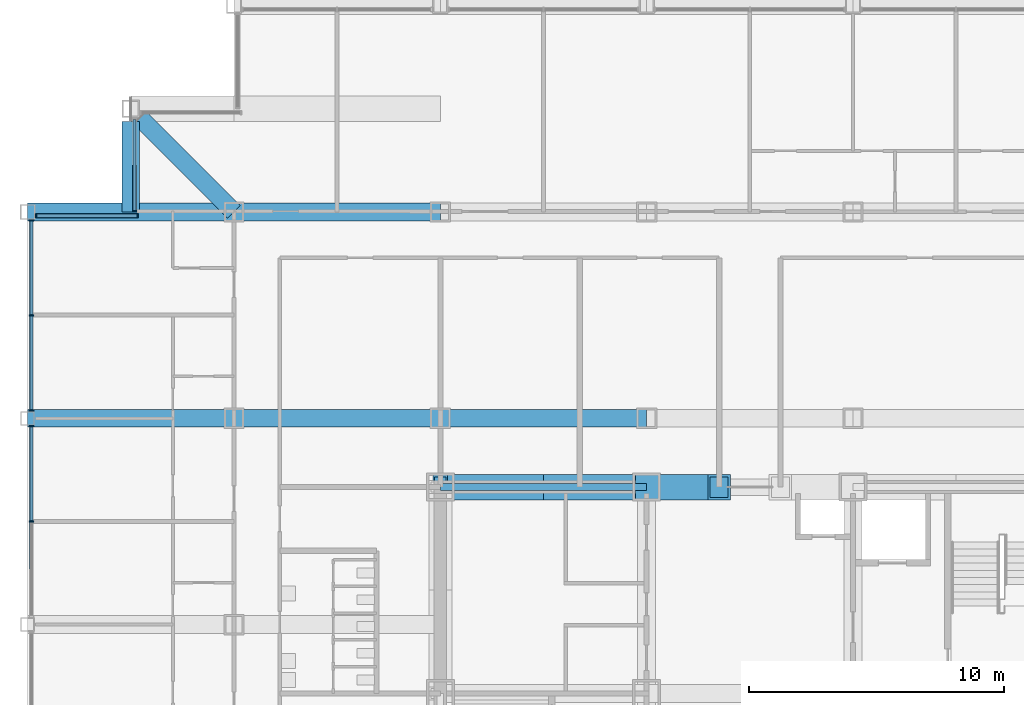
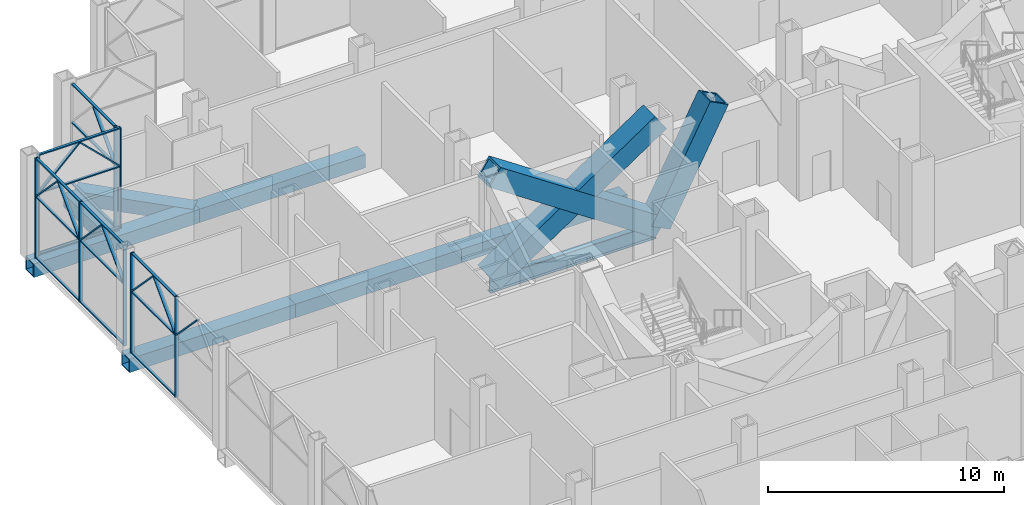
# One storey, part 8 of 29: 36 members, 8 beams, 4 elements without a shape of their own.
"""IFC4 building model written with IfcOpenShell, lengths in metres."""

from ifc_helpers import new_model, si_unit, direction, frame, origin, origin_2d, place, context, subcontext, project, spatial, rectangle, hollow_rectangle, i_section, extrude, material, material_profile, profile_set, type_object, element, aggregate, save


model = new_model("IFC4")

# Units and contexts
model_context = context("Model", 3, precision=1e-05, world=origin(), true_north=direction((0.0, 1.0)))
body_context = subcontext(model_context, "Body", "Model", "MODEL_VIEW")
ifc_project = project(units=[si_unit("LENGTHUNIT", "METRE"), si_unit("AREAUNIT", "SQUARE_METRE"), si_unit("VOLUMEUNIT", "CUBIC_METRE"), si_unit("PLANEANGLEUNIT", "RADIAN"), si_unit("MASSUNIT", "GRAM", prefix="KILO")], contexts=[model_context])

# Site, building, storey
site_placement = place(None, origin())
site = spatial("IfcSite", under=ifc_project, at=site_placement, CompositionType="ELEMENT")
building_placement = place(site_placement, origin())
building = spatial("IfcBuilding", under=site, at=building_placement, Name="Kopane Lantern Tower", CompositionType="ELEMENT")
storey_placement = place(building_placement, frame((0.0, 0.0, 165.0)))
storey = spatial("IfcBuildingStorey", under=building, at=storey_placement, Name="L42", CompositionType="ELEMENT", Elevation=165.0)

# Members
ifc_material_1 = material(Name="Steel S355JR", Category="steel")
ifc_material_profile_1 = material_profile(ifc_material_1, hollow_rectangle(XDim=1.0, YDim=1.0, WallThickness=0.10009765625, at=origin_2d()), Name="BOX 1000x1000x100")
ifc_profile_set_1 = profile_set([ifc_material_profile_1], Name="Steel S355JR")
member_type_1 = type_object("IfcMemberType", Name="BRACE BOX 1000x1000x100", PredefinedType="BRACE", material=ifc_profile_set_1)
for number, where, z_axis, x_axis, name in (
    (1, (16.199951171875, 40.5, -0.25), (0.830159256911, 0.0, 0.557526329571), (0.0, 1.0, 0.0), "Core brace L42"),
    (2, (24.300048828125, 40.5, -0.25), (-0.830159256911, 0.0, 0.557526329571), (0.0, -1.0, 0.0), "Core brace L42"),
):
    element("IfcMember", number, at=place(storey_placement, frame(where, z_axis=z_axis, x_axis=x_axis)), inside=storey, type_object=member_type_1, Name=name, PredefinedType="BRACE", context=body_context, shape_type="SweptSolid", body=[
        extrude(hollow_rectangle(XDim=1.0, YDim=1.0, WallThickness=0.10009765625, at=origin_2d()), origin(), (0.0, 0.0, 1.0), 9.75732421875),
    ])
member_1_placement = place(storey_placement, frame((24.300048828125, 40.5, -0.25), z_axis=(0.464053044063, 0.0, 0.885807412645), x_axis=(0.0, 1.0, 0.0)))
element("IfcMember", 3, at=member_1_placement, inside=storey, type_object=member_type_1, Name="Core brace L42", PredefinedType="BRACE", context=body_context, shape_type="SweptSolid", body=[
    extrude(hollow_rectangle(XDim=1.0, YDim=1.0, WallThickness=0.10009765625, at=origin_2d()), origin(), (0.0, 0.0, 1.0), 6.14111328125),
])

# Beams
ifc_material_2 = material(Name="Steel S355JR", Category="steel")
ifc_material_profile_2 = material_profile(ifc_material_2, hollow_rectangle(XDim=0.699951171875, YDim=0.699951171875, WallThickness=0.06005859375, at=origin_2d()), Name="BOX 700x700x60")
ifc_profile_set_2 = profile_set([ifc_material_profile_2], Name="Steel S355JR")
beam_type_1 = type_object("IfcBeamType", Name="CORNER TIE BEAM BOX 700x700x60", PredefinedType="BEAM", material=ifc_profile_set_2)
beam_1_placement = place(storey_placement, frame((4.403564453125, 54.996337890625, -0.60009765625), z_axis=(0.707130132301, -0.707083429301, 0.0), x_axis=(0.707083429301, 0.707130132301, 0.0)))
element("IfcBeam", 4, at=beam_1_placement, inside=storey, type_object=beam_type_1, Name="Corner Tie Beam L42", PredefinedType="BEAM", context=body_context, shape_type="SweptSolid", body=[
    extrude(hollow_rectangle(XDim=0.699951171875, YDim=0.699951171875, WallThickness=0.06005859375, at=origin_2d()), origin(), (0.0, 0.0, 1.0), 5.2275390625),
])
ifc_material_3 = material(Name="Steel S355JR", Category="steel")
ifc_material_profile_3 = material_profile(ifc_material_3, hollow_rectangle(XDim=0.699951171875, YDim=0.699951171875, WallThickness=0.06005859375, at=origin_2d()), Name="BOX 700x700x60")
ifc_profile_set_3 = profile_set([ifc_material_profile_3], Name="Steel S355JR")
beam_type_2 = type_object("IfcBeamType", Name="EDGE BEAM BOX 700x700x60", PredefinedType="BEAM", material=ifc_profile_set_3)
beam_2_placement = place(storey_placement, frame((4.050048828125, 54.85009765625, -0.60009765625), z_axis=(0.0, -1.0, 0.0), x_axis=(1.0, 0.0, 0.0)))
element("IfcBeam", 5, at=beam_2_placement, inside=storey, type_object=beam_type_2, Name="Edge Beam L42", PredefinedType="BEAM", context=body_context, shape_type="SweptSolid", body=[
    extrude(hollow_rectangle(XDim=0.699951171875, YDim=0.699951171875, WallThickness=0.06005859375, at=origin_2d()), origin(), (0.0, 0.0, 1.0), 3.550048828125),
])
ifc_material_4 = material(Name="Steel S355JR", Category="steel")
ifc_material_profile_4 = material_profile(ifc_material_4, hollow_rectangle(XDim=0.699951171875, YDim=0.699951171875, WallThickness=0.06005859375, at=origin_2d()), Name="BOX 700x700x60")
ifc_profile_set_4 = profile_set([ifc_material_profile_4], Name="Steel S355JR")
beam_type_3 = type_object("IfcBeamType", Name="GIRDER BOX 700x700x60", PredefinedType="BEAM", material=ifc_profile_set_4)
for number, where, z_axis, x_axis, name in (
    (6, (0.0, 43.199951171875, -0.60009765625), (1.0, 0.0, 0.0), (0.0, 1.0, 0.0), "Girder L42"),
    (7, (0.0, 51.300048828125, -0.60009765625), (1.0, 0.0, 0.0), (0.0, 1.0, 0.0), "Girder L42"),
):
    element("IfcBeam", number, at=place(storey_placement, frame(where, z_axis=z_axis, x_axis=x_axis)), inside=storey, type_object=beam_type_3, Name=name, PredefinedType="BEAM", context=body_context, shape_type="SweptSolid", body=[
        extrude(hollow_rectangle(XDim=0.699951171875, YDim=0.699951171875, WallThickness=0.06005859375, at=origin_2d()), origin(), (0.0, 0.0, 1.0), 8.10009765625),
    ])
for number, where, z_axis, x_axis, name in (
    (8, (8.10009765625, 43.199951171875, -0.60009765625), (1.0, 0.0, 0.0), (0.0, 1.0, 0.0), "Girder L42"),
    (9, (8.10009765625, 51.300048828125, -0.60009765625), (1.0, 0.0, 0.0), (0.0, 1.0, 0.0), "Girder L42"),
):
    element("IfcBeam", number, at=place(storey_placement, frame(where, z_axis=z_axis, x_axis=x_axis)), inside=storey, type_object=beam_type_3, Name=name, PredefinedType="BEAM", context=body_context, shape_type="SweptSolid", body=[
        extrude(hollow_rectangle(XDim=0.699951171875, YDim=0.699951171875, WallThickness=0.06005859375, at=origin_2d()), origin(), (0.0, 0.0, 1.0), 8.099853515625),
    ])
beam_3_placement = place(storey_placement, frame((16.199951171875, 43.199951171875, -0.60009765625), z_axis=(1.0, 0.0, 0.0), x_axis=(0.0, 1.0, 0.0)))
element("IfcBeam", 10, at=beam_3_placement, inside=storey, type_object=beam_type_3, Name="Girder L42", PredefinedType="BEAM", context=body_context, shape_type="SweptSolid", body=[
    extrude(hollow_rectangle(XDim=0.699951171875, YDim=0.699951171875, WallThickness=0.06005859375, at=origin_2d()), origin(), (0.0, 0.0, 1.0), 8.10009765625),
])
ifc_material_5 = material(Name="Steel S355JR", Category="steel")
ifc_material_profile_5 = material_profile(ifc_material_5, i_section(OverallWidth=0.26806640625, OverallDepth=0.769775390625, WebThickness=0.015625, FlangeThickness=0.025390625, FilletRadius=0.0166015625, at=origin_2d()), Name="UB 762x267x197")
ifc_profile_set_5 = profile_set([ifc_material_profile_5], Name="Steel S355JR")
beam_type_4 = type_object("IfcBeamType", Name="GIRDER UB 762x267x197", PredefinedType="BEAM", material=ifc_profile_set_5)
beam_4_placement = place(storey_placement, frame((16.199951171875, 40.5, -0.635009765625), z_axis=(1.0, 0.0, 0.0), x_axis=(0.0, 1.0, 0.0)))
element("IfcBeam", 11, at=beam_4_placement, inside=storey, type_object=beam_type_4, Name="Girder L42", PredefinedType="BEAM", context=body_context, shape_type="SweptSolid", body=[
    extrude(i_section(OverallWidth=0.26806640625, OverallDepth=0.769775390625, WebThickness=0.015625, FlangeThickness=0.025390625, FilletRadius=0.0166015625, at=origin_2d()), origin(), (0.0, 0.0, 1.0), 8.10009765625),
])

# Curtain wall, members
ifc_material_6 = material(Name="Aluminium and clear glass", Category="aluminium")
curtain_wall_type = type_object("IfcCurtainWallType", Name="CURTAIN WALL CW4 RESIDENCES LOBBY", PredefinedType="USERDEFINED", material=ifc_material_6)
curtain_wall_1_placement = place(storey_placement, origin())
curtain_wall_1 = element("IfcCurtainWall", 12, at=curtain_wall_1_placement, inside=storey, type_object=curtain_wall_type, Name="Curtain wall CW4 W L42", ObjectType="CURTAIN WALL", PredefinedType="USERDEFINED")
ifc_material_7 = material(Name="Aluminium", Category="aluminium")
ifc_material_profile_6 = material_profile(ifc_material_7, rectangle(XDim=0.06005859375, YDim=0.1650390625, at=origin_2d()), Name="AL 60x165")
ifc_profile_set_6 = profile_set([ifc_material_profile_6], Name="Aluminium")
member_type_2 = type_object("IfcMemberType", Name="MULLION CW4-M 60x165", PredefinedType="MULLION", material=ifc_profile_set_6)
member_2_placement = place(storey_placement, frame((4.199951171875, 51.330078125, 0.0), z_axis=(0.0, 0.0, 1.0), x_axis=(0.0, -1.0, 0.0)))
member_2 = element("IfcMember", 13, at=member_2_placement, type_object=member_type_2, Name="CW4 mullion 2", PredefinedType="MULLION", context=body_context, shape_type="SweptSolid", body=[
    extrude(rectangle(XDim=0.06005859375, YDim=0.1650390625, at=origin_2d()), origin(), (0.0, 0.0, 1.0), 5.18994140625),
])
member_3_placement = place(storey_placement, frame((4.199951171875, 51.3818359375, 3.240478515625), z_axis=(0.0, 0.68213446792, 0.731226755306), x_axis=(0.0, -0.731226755306, 0.68213446792)))
member_3 = element("IfcMember", 14, at=member_3_placement, type_object=member_type_2, Name="CW4 lancet mullion 1R", PredefinedType="MULLION", context=body_context, shape_type="SweptSolid", body=[
    extrude(rectangle(XDim=0.06005859375, YDim=0.1650390625, at=origin_2d()), origin(), (0.0, 0.0, 1.0), 2.55615234375),
])

curtain_wall_2_placement = place(storey_placement, origin())
curtain_wall_2 = element("IfcCurtainWall", 15, at=curtain_wall_2_placement, inside=storey, type_object=curtain_wall_type, Name="Curtain wall CW4 N L42", ObjectType="CURTAIN WALL", PredefinedType="USERDEFINED")
member_4_placement = place(storey_placement, frame((4.320068359375, 51.14990234375, 0.0), z_axis=(0.0, 0.0, 1.0), x_axis=(-1.0, 0.0, 0.0)))
member_4 = element("IfcMember", 16, at=member_4_placement, type_object=member_type_2, Name="CW4 mullion 1", PredefinedType="MULLION", context=body_context, shape_type="SweptSolid", body=[
    extrude(rectangle(XDim=0.06005859375, YDim=0.1650390625, at=origin_2d()), origin(), (0.0, 0.0, 1.0), 5.18994140625),
])
member_5_placement = place(storey_placement, frame((0.3349609375, 51.14990234375, 0.0), z_axis=(0.0, 0.0, 1.0), x_axis=(-1.0, 0.0, 0.0)))
member_5 = element("IfcMember", 17, at=member_5_placement, type_object=member_type_2, Name="CW4 mullion 2", PredefinedType="MULLION", context=body_context, shape_type="SweptSolid", body=[
    extrude(rectangle(XDim=0.06005859375, YDim=0.1650390625, at=origin_2d()), origin(), (0.0, 0.0, 1.0), 5.18994140625),
])
member_6_placement = place(storey_placement, frame((4.26904296875, 51.14990234375, 3.241455078125), z_axis=(-0.717061983999, 0.0, 0.697009405319), x_axis=(0.697009405319, 0.0, 0.717061983999)))
member_6 = element("IfcMember", 18, at=member_6_placement, type_object=member_type_2, Name="CW4 lancet mullion 1L", PredefinedType="MULLION", context=body_context, shape_type="SweptSolid", body=[
    extrude(rectangle(XDim=0.06005859375, YDim=0.1650390625, at=origin_2d()), origin(), (0.0, 0.0, 1.0), 2.678466796875),
])
member_7_placement = place(storey_placement, frame((0.385986328125, 51.14990234375, 3.241455078125), z_axis=(0.717061983999, 0.0, 0.697009405319), x_axis=(-0.697009405319, 0.0, 0.717061983999)))
member_7 = element("IfcMember", 19, at=member_7_placement, type_object=member_type_2, Name="CW4 lancet mullion 1R", PredefinedType="MULLION", context=body_context, shape_type="SweptSolid", body=[
    extrude(rectangle(XDim=0.06005859375, YDim=0.1650390625, at=origin_2d()), origin(), (0.0, 0.0, 1.0), 2.678466796875),
])

curtain_wall_3_placement = place(storey_placement, origin())
curtain_wall_3 = element("IfcCurtainWall", 20, at=curtain_wall_3_placement, inside=storey, type_object=curtain_wall_type, Name="Curtain wall CW4 W L42", ObjectType="CURTAIN WALL", PredefinedType="USERDEFINED")
member_8_placement = place(storey_placement, frame((0.14990234375, 50.969970703125, 0.0), z_axis=(0.0, 0.0, 1.0), x_axis=(0.0, -1.0, 0.0)))
member_8 = element("IfcMember", 21, at=member_8_placement, type_object=member_type_2, Name="CW4 mullion 1", PredefinedType="MULLION", context=body_context, shape_type="SweptSolid", body=[
    extrude(rectangle(XDim=0.06005859375, YDim=0.1650390625, at=origin_2d()), origin(), (0.0, 0.0, 1.0), 5.18994140625),
])
member_9_placement = place(storey_placement, frame((0.14990234375, 47.239990234375, 0.0), z_axis=(0.0, 0.0, 1.0), x_axis=(0.0, -1.0, 0.0)))
member_9 = element("IfcMember", 22, at=member_9_placement, type_object=member_type_2, Name="CW4 mullion 2", PredefinedType="MULLION", context=body_context, shape_type="SweptSolid", body=[
    extrude(rectangle(XDim=0.06005859375, YDim=0.1650390625, at=origin_2d()), origin(), (0.0, 0.0, 1.0), 5.18994140625),
])
member_10_placement = place(storey_placement, frame((0.14990234375, 43.510009765625, 0.0), z_axis=(0.0, 0.0, 1.0), x_axis=(0.0, -1.0, 0.0)))
member_10 = element("IfcMember", 23, at=member_10_placement, type_object=member_type_2, Name="CW4 mullion 3", PredefinedType="MULLION", context=body_context, shape_type="SweptSolid", body=[
    extrude(rectangle(XDim=0.06005859375, YDim=0.1650390625, at=origin_2d()), origin(), (0.0, 0.0, 1.0), 5.18994140625),
])
member_11_placement = place(storey_placement, frame((0.14990234375, 50.918212890625, 3.24072265625), z_axis=(0.0, -0.69209585032, 0.721805606773), x_axis=(0.0, 0.721805606773, 0.69209585032)))
member_11 = element("IfcMember", 24, at=member_11_placement, type_object=member_type_2, Name="CW4 lancet mullion 1L", PredefinedType="MULLION", context=body_context, shape_type="SweptSolid", body=[
    extrude(rectangle(XDim=0.06005859375, YDim=0.1650390625, at=origin_2d()), origin(), (0.0, 0.0, 1.0), 2.588623046875),
])
member_12_placement = place(storey_placement, frame((0.14990234375, 47.291748046875, 3.24072265625), z_axis=(0.0, 0.69209585032, 0.721805606773), x_axis=(0.0, -0.721805606773, 0.69209585032)))
member_12 = element("IfcMember", 25, at=member_12_placement, type_object=member_type_2, Name="CW4 lancet mullion 1R", PredefinedType="MULLION", context=body_context, shape_type="SweptSolid", body=[
    extrude(rectangle(XDim=0.06005859375, YDim=0.1650390625, at=origin_2d()), origin(), (0.0, 0.0, 1.0), 2.588623046875),
])
member_13_placement = place(storey_placement, frame((0.14990234375, 47.188232421875, 3.24072265625), z_axis=(0.0, -0.69209585032, 0.721805606773), x_axis=(0.0, 0.721805606773, 0.69209585032)))
member_13 = element("IfcMember", 26, at=member_13_placement, type_object=member_type_2, Name="CW4 lancet mullion 2L", PredefinedType="MULLION", context=body_context, shape_type="SweptSolid", body=[
    extrude(rectangle(XDim=0.06005859375, YDim=0.1650390625, at=origin_2d()), origin(), (0.0, 0.0, 1.0), 2.588623046875),
])
member_14_placement = place(storey_placement, frame((0.14990234375, 43.561767578125, 3.24072265625), z_axis=(0.0, 0.69209585032, 0.721805606773), x_axis=(0.0, -0.721805606773, 0.69209585032)))
member_14 = element("IfcMember", 27, at=member_14_placement, type_object=member_type_2, Name="CW4 lancet mullion 2R", PredefinedType="MULLION", context=body_context, shape_type="SweptSolid", body=[
    extrude(rectangle(XDim=0.06005859375, YDim=0.1650390625, at=origin_2d()), origin(), (0.0, 0.0, 1.0), 2.588623046875),
])

curtain_wall_4_placement = place(storey_placement, origin())
curtain_wall_4 = element("IfcCurtainWall", 28, at=curtain_wall_4_placement, inside=storey, type_object=curtain_wall_type, Name="Curtain wall CW4 W L42", ObjectType="CURTAIN WALL", PredefinedType="USERDEFINED")
member_15_placement = place(storey_placement, frame((0.14990234375, 42.889892578125, 0.0), z_axis=(0.0, 0.0, 1.0), x_axis=(0.0, -1.0, 0.0)))
member_15 = element("IfcMember", 29, at=member_15_placement, type_object=member_type_2, Name="CW4 mullion 1", PredefinedType="MULLION", context=body_context, shape_type="SweptSolid", body=[
    extrude(rectangle(XDim=0.06005859375, YDim=0.1650390625, at=origin_2d()), origin(), (0.0, 0.0, 1.0), 5.18994140625),
])
member_16_placement = place(storey_placement, frame((0.14990234375, 39.14990234375, 0.0), z_axis=(0.0, 0.0, 1.0), x_axis=(0.0, -1.0, 0.0)))
member_16 = element("IfcMember", 30, at=member_16_placement, type_object=member_type_2, Name="CW4 mullion 2", PredefinedType="MULLION", context=body_context, shape_type="SweptSolid", body=[
    extrude(rectangle(XDim=0.06005859375, YDim=0.1650390625, at=origin_2d()), origin(), (0.0, 0.0, 1.0), 5.18994140625),
])
member_17_placement = place(storey_placement, frame((0.14990234375, 42.83837890625, 3.24072265625), z_axis=(0.0, -0.693174589614, 0.720769719337), x_axis=(0.0, 0.720769719337, 0.693174589614)))
member_17 = element("IfcMember", 31, at=member_17_placement, type_object=member_type_2, Name="CW4 lancet mullion 1L", PredefinedType="MULLION", context=body_context, shape_type="SweptSolid", body=[
    extrude(rectangle(XDim=0.06005859375, YDim=0.1650390625, at=origin_2d()), origin(), (0.0, 0.0, 1.0), 2.59228515625),
])
member_18_placement = place(storey_placement, frame((0.14990234375, 39.20166015625, 3.24072265625), z_axis=(0.0, 0.693125656775, 0.720816775554), x_axis=(0.0, -0.720816775554, 0.693125656775)))
member_18 = element("IfcMember", 32, at=member_18_placement, type_object=member_type_2, Name="CW4 lancet mullion 1R", PredefinedType="MULLION", context=body_context, shape_type="SweptSolid", body=[
    extrude(rectangle(XDim=0.06005859375, YDim=0.1650390625, at=origin_2d()), origin(), (0.0, 0.0, 1.0), 2.592041015625),
])
member_19_placement = place(storey_placement, frame((0.14990234375, 39.098388671875, 3.24072265625), z_axis=(0.0, -0.693174589614, 0.720769719337), x_axis=(0.0, 0.720769719337, 0.693174589614)))
member_19 = element("IfcMember", 33, at=member_19_placement, type_object=member_type_2, Name="CW4 lancet mullion 2L", PredefinedType="MULLION", context=body_context, shape_type="SweptSolid", body=[
    extrude(rectangle(XDim=0.06005859375, YDim=0.1650390625, at=origin_2d()), origin(), (0.0, 0.0, 1.0), 2.59228515625),
])

# Member
ifc_material_8 = material(Name="Aluminium", Category="aluminium")
ifc_material_profile_7 = material_profile(ifc_material_8, rectangle(XDim=0.125, YDim=0.06005859375, at=origin_2d()), Name="AL 125x60")
ifc_profile_set_7 = profile_set([ifc_material_profile_7], Name="Aluminium")
member_type_3 = type_object("IfcMemberType", Name="TRANSOM CW4-T 60x125", PredefinedType="USERDEFINED", material=ifc_profile_set_7)
member_20_placement = place(storey_placement, frame((4.199951171875, 54.93505859375, 0.030029296875), z_axis=(0.0, -1.0, 0.0), x_axis=(1.0, 0.0, 0.0)))
member_20 = element("IfcMember", 34, at=member_20_placement, type_object=member_type_3, Name="CW4 transom 1.1", ObjectType="TRANSOM", PredefinedType="USERDEFINED", context=body_context, shape_type="SweptSolid", body=[
    extrude(rectangle(XDim=0.125, YDim=0.06005859375, at=origin_2d()), origin(), (0.0, 0.0, 1.0), 3.574951171875),
])

member_21_placement = place(storey_placement, frame((4.199951171875, 54.93505859375, 3.18994140625), z_axis=(0.0, -1.0, 0.0), x_axis=(1.0, 0.0, 0.0)))
member_21 = element("IfcMember", 35, at=member_21_placement, type_object=member_type_3, Name="CW4 transom 1.2", ObjectType="TRANSOM", PredefinedType="USERDEFINED", context=body_context, shape_type="SweptSolid", body=[
    extrude(rectangle(XDim=0.125, YDim=0.06005859375, at=origin_2d()), origin(), (0.0, 0.0, 1.0), 3.574951171875),
])

member_22_placement = place(storey_placement, frame((4.199951171875, 54.93505859375, 5.159912109375), z_axis=(0.0, -1.0, 0.0), x_axis=(1.0, 0.0, 0.0)))
member_22 = element("IfcMember", 36, at=member_22_placement, type_object=member_type_3, Name="CW4 transom 1.3", ObjectType="TRANSOM", PredefinedType="USERDEFINED", context=body_context, shape_type="SweptSolid", body=[
    extrude(rectangle(XDim=0.125, YDim=0.06005859375, at=origin_2d()), origin(), (0.0, 0.0, 1.0), 3.574951171875),
])

aggregate(curtain_wall_1, [member_2, member_20, member_21, member_22, member_3])

member_23_placement = place(storey_placement, frame((4.2900390625, 51.14990234375, 0.030029296875), z_axis=(-1.0, 0.0, 0.0), x_axis=(0.0, -1.0, 0.0)))
member_23 = element("IfcMember", 37, at=member_23_placement, type_object=member_type_3, Name="CW4 transom 1.1", ObjectType="TRANSOM", PredefinedType="USERDEFINED", context=body_context, shape_type="SweptSolid", body=[
    extrude(rectangle(XDim=0.125, YDim=0.06005859375, at=origin_2d()), origin(), (0.0, 0.0, 1.0), 3.925048828125),
])

member_24_placement = place(storey_placement, frame((4.2900390625, 51.14990234375, 3.18994140625), z_axis=(-1.0, 0.0, 0.0), x_axis=(0.0, -1.0, 0.0)))
member_24 = element("IfcMember", 38, at=member_24_placement, type_object=member_type_3, Name="CW4 transom 1.2", ObjectType="TRANSOM", PredefinedType="USERDEFINED", context=body_context, shape_type="SweptSolid", body=[
    extrude(rectangle(XDim=0.125, YDim=0.06005859375, at=origin_2d()), origin(), (0.0, 0.0, 1.0), 3.925048828125),
])

member_25_placement = place(storey_placement, frame((4.2900390625, 51.14990234375, 5.159912109375), z_axis=(-1.0, 0.0, 0.0), x_axis=(0.0, -1.0, 0.0)))
member_25 = element("IfcMember", 39, at=member_25_placement, type_object=member_type_3, Name="CW4 transom 1.3", ObjectType="TRANSOM", PredefinedType="USERDEFINED", context=body_context, shape_type="SweptSolid", body=[
    extrude(rectangle(XDim=0.125, YDim=0.06005859375, at=origin_2d()), origin(), (0.0, 0.0, 1.0), 3.925048828125),
])

aggregate(curtain_wall_2, [member_4, member_5, member_23, member_24, member_25, member_6, member_7])

member_26_placement = place(storey_placement, frame((0.14990234375, 50.93994140625, 0.030029296875), z_axis=(0.0, -1.0, 0.0), x_axis=(1.0, 0.0, 0.0)))
member_26 = element("IfcMember", 40, at=member_26_placement, type_object=member_type_3, Name="CW4 transom 1.1", ObjectType="TRANSOM", PredefinedType="USERDEFINED", context=body_context, shape_type="SweptSolid", body=[
    extrude(rectangle(XDim=0.125, YDim=0.06005859375, at=origin_2d()), origin(), (0.0, 0.0, 1.0), 3.669921875),
])

member_27_placement = place(storey_placement, frame((0.14990234375, 50.93994140625, 3.18994140625), z_axis=(0.0, -1.0, 0.0), x_axis=(1.0, 0.0, 0.0)))
member_27 = element("IfcMember", 41, at=member_27_placement, type_object=member_type_3, Name="CW4 transom 1.2", ObjectType="TRANSOM", PredefinedType="USERDEFINED", context=body_context, shape_type="SweptSolid", body=[
    extrude(rectangle(XDim=0.125, YDim=0.06005859375, at=origin_2d()), origin(), (0.0, 0.0, 1.0), 3.669921875),
])

member_28_placement = place(storey_placement, frame((0.14990234375, 50.93994140625, 5.159912109375), z_axis=(0.0, -1.0, 0.0), x_axis=(1.0, 0.0, 0.0)))
member_28 = element("IfcMember", 42, at=member_28_placement, type_object=member_type_3, Name="CW4 transom 1.3", ObjectType="TRANSOM", PredefinedType="USERDEFINED", context=body_context, shape_type="SweptSolid", body=[
    extrude(rectangle(XDim=0.125, YDim=0.06005859375, at=origin_2d()), origin(), (0.0, 0.0, 1.0), 3.669921875),
])

member_29_placement = place(storey_placement, frame((0.14990234375, 47.2099609375, 0.030029296875), z_axis=(0.0, -1.0, 0.0), x_axis=(1.0, 0.0, 0.0)))
member_29 = element("IfcMember", 43, at=member_29_placement, type_object=member_type_3, Name="CW4 transom 2.1", ObjectType="TRANSOM", PredefinedType="USERDEFINED", context=body_context, shape_type="SweptSolid", body=[
    extrude(rectangle(XDim=0.125, YDim=0.06005859375, at=origin_2d()), origin(), (0.0, 0.0, 1.0), 3.669921875),
])

member_30_placement = place(storey_placement, frame((0.14990234375, 47.2099609375, 3.18994140625), z_axis=(0.0, -1.0, 0.0), x_axis=(1.0, 0.0, 0.0)))
member_30 = element("IfcMember", 44, at=member_30_placement, type_object=member_type_3, Name="CW4 transom 2.2", ObjectType="TRANSOM", PredefinedType="USERDEFINED", context=body_context, shape_type="SweptSolid", body=[
    extrude(rectangle(XDim=0.125, YDim=0.06005859375, at=origin_2d()), origin(), (0.0, 0.0, 1.0), 3.669921875),
])

member_31_placement = place(storey_placement, frame((0.14990234375, 47.2099609375, 5.159912109375), z_axis=(0.0, -1.0, 0.0), x_axis=(1.0, 0.0, 0.0)))
member_31 = element("IfcMember", 45, at=member_31_placement, type_object=member_type_3, Name="CW4 transom 2.3", ObjectType="TRANSOM", PredefinedType="USERDEFINED", context=body_context, shape_type="SweptSolid", body=[
    extrude(rectangle(XDim=0.125, YDim=0.06005859375, at=origin_2d()), origin(), (0.0, 0.0, 1.0), 3.669921875),
])

aggregate(curtain_wall_3, [member_8, member_9, member_10, member_26, member_27, member_28, member_29, member_30, member_31, member_11, member_12, member_13, member_14])

member_32_placement = place(storey_placement, frame((0.14990234375, 42.860107421875, 0.030029296875), z_axis=(0.0, -1.0, 0.0), x_axis=(1.0, 0.0, 0.0)))
member_32 = element("IfcMember", 46, at=member_32_placement, type_object=member_type_3, Name="CW4 transom 1.1", ObjectType="TRANSOM", PredefinedType="USERDEFINED", context=body_context, shape_type="SweptSolid", body=[
    extrude(rectangle(XDim=0.125, YDim=0.06005859375, at=origin_2d()), origin(), (0.0, 0.0, 1.0), 3.68017578125),
])

member_33_placement = place(storey_placement, frame((0.14990234375, 42.860107421875, 3.18994140625), z_axis=(0.0, -1.0, 0.0), x_axis=(1.0, 0.0, 0.0)))
member_33 = element("IfcMember", 47, at=member_33_placement, type_object=member_type_3, Name="CW4 transom 1.2", ObjectType="TRANSOM", PredefinedType="USERDEFINED", context=body_context, shape_type="SweptSolid", body=[
    extrude(rectangle(XDim=0.125, YDim=0.06005859375, at=origin_2d()), origin(), (0.0, 0.0, 1.0), 3.68017578125),
])

member_34_placement = place(storey_placement, frame((0.14990234375, 42.860107421875, 5.159912109375), z_axis=(0.0, -1.0, 0.0), x_axis=(1.0, 0.0, 0.0)))
member_34 = element("IfcMember", 48, at=member_34_placement, type_object=member_type_3, Name="CW4 transom 1.3", ObjectType="TRANSOM", PredefinedType="USERDEFINED", context=body_context, shape_type="SweptSolid", body=[
    extrude(rectangle(XDim=0.125, YDim=0.06005859375, at=origin_2d()), origin(), (0.0, 0.0, 1.0), 3.68017578125),
])

aggregate(curtain_wall_4, [member_15, member_16, member_32, member_33, member_34, member_17, member_18, member_19])

save(model, "model.ifc")
